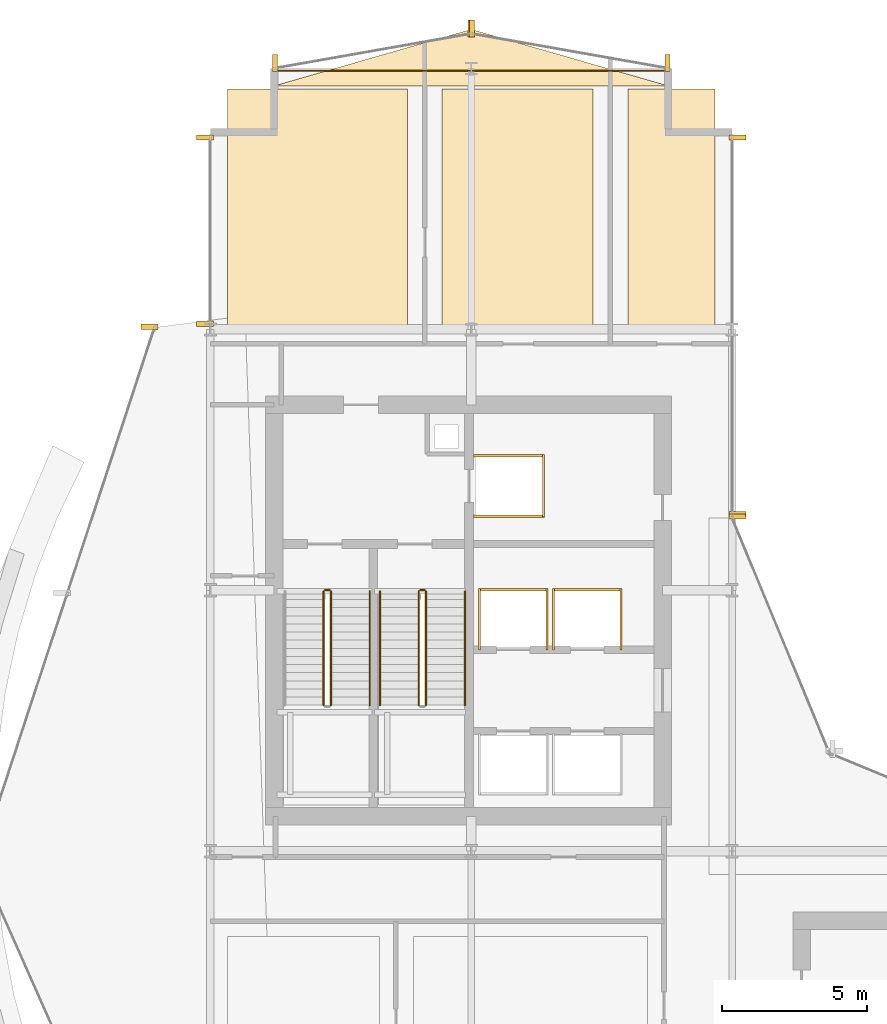
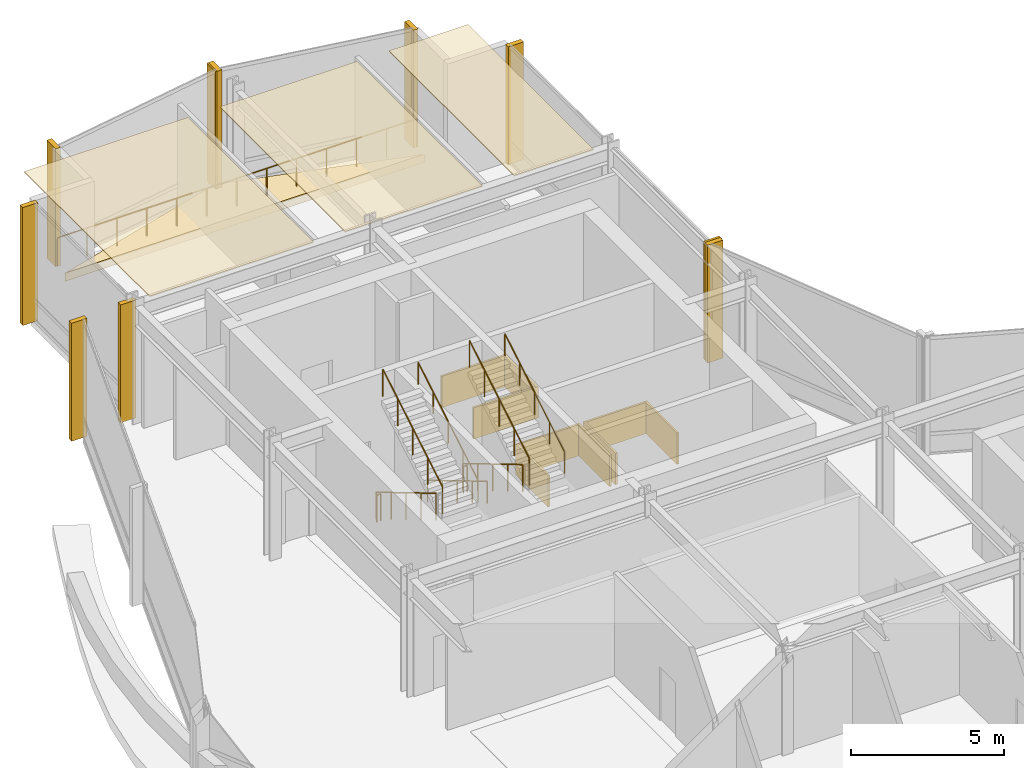
# One storey, part 32 of 33: 23 coverings, 10 railings.
"""IFC4 building model written with IfcOpenShell, lengths in metres."""

from ifc_helpers import new_model, si_unit, direction, frame, origin, origin_2d, place, context, subcontext, project, spatial, polyline, rectangle, circle, outline, extrude, material, layer, layer_set, type_object, element, save


model = new_model("IFC4")

# Units and contexts
model_context = context("Model", 3, precision=1e-05, world=origin(), true_north=direction((0.0, 1.0)))
body_context = subcontext(model_context, "Body", "Model", "MODEL_VIEW")
ifc_project = project(units=[si_unit("LENGTHUNIT", "METRE"), si_unit("AREAUNIT", "SQUARE_METRE"), si_unit("VOLUMEUNIT", "CUBIC_METRE"), si_unit("PLANEANGLEUNIT", "RADIAN"), si_unit("MASSUNIT", "GRAM", prefix="KILO")], contexts=[model_context])

# Site, building, storey
site_placement = place(None, origin())
site = spatial("IfcSite", under=ifc_project, at=site_placement, CompositionType="ELEMENT")
building_placement = place(site_placement, origin())
building = spatial("IfcBuilding", under=site, at=building_placement, Name="Solvaryn Broadcast Tower", CompositionType="ELEMENT")
storey_placement = place(building_placement, frame((0.0, 0.0, 105.0)))
storey = spatial("IfcBuildingStorey", under=building, at=storey_placement, Name="L25", CompositionType="ELEMENT", Elevation=105.0)

# Coverings
ifc_material_1 = material(Name="Micro-Perforated Acoustic Gypsum Ceiling", Category="concrete")
ifc_layer_1 = layer(ifc_material_1, 0.0400390625)
ifc_layer_set_1 = layer_set([ifc_layer_1], Name="CV-CEIL-ACOUSTIC")
covering_type_1 = type_object("IfcCoveringType", Name="CV-CEIL-ACOUSTIC", PredefinedType="CEILING", material=ifc_layer_set_1)
covering_1_placement = place(storey_placement, frame((0.0, 0.0, 4.679931640625)))
element("IfcCovering", 1, at=covering_1_placement, inside=storey, type_object=covering_type_1, Name="L25 Room Acoustic Ceiling 7", PredefinedType="CEILING", context=body_context, shape_type="SweptSolid", body=[
    extrude(outline(polyline([(9.60009765625, 45.070068359375), (15.800048828125, 45.070068359375), (15.800048828125, 53.300048828125), (9.60009765625, 53.300048828125), (9.60009765625, 45.070068359375)])), origin(), (0.0, 0.0, 1.0), 0.0400390625),
])
covering_2_placement = place(storey_placement, frame((0.0, 0.0, 4.679931640625)))
element("IfcCovering", 2, at=covering_2_placement, inside=storey, type_object=covering_type_1, Name="L25 Room Acoustic Ceiling 8", PredefinedType="CEILING", context=body_context, shape_type="SweptSolid", body=[
    extrude(outline(polyline([(17.0, 45.070068359375), (22.199951171875, 45.070068359375), (22.199951171875, 53.300048828125), (17.0, 53.300048828125), (17.0, 45.070068359375)])), origin(), (0.0, 0.0, 1.0), 0.0400390625),
])
covering_3_placement = place(storey_placement, frame((0.0, 0.0, 4.679931640625)))
element("IfcCovering", 3, at=covering_3_placement, inside=storey, type_object=covering_type_1, Name="L25 Room Acoustic Ceiling 9", PredefinedType="CEILING", context=body_context, shape_type="SweptSolid", body=[
    extrude(outline(polyline([(23.39990234375, 45.070068359375), (26.39990234375, 45.070068359375), (26.39990234375, 53.300048828125), (23.39990234375, 53.300048828125), (23.39990234375, 45.070068359375)])), origin(), (0.0, 0.0, 1.0), 0.0400390625),
])
ifc_material_2 = material(Name="Fire-Rated Gypsum Shaftwall Liner", Category="concrete")
ifc_layer_2 = layer(ifc_material_2, 0.080078125)
ifc_layer_set_2 = layer_set([ifc_layer_2], Name="CV-SHAFT-LINER")
covering_type_2 = type_object("IfcCoveringType", Name="CV-SHAFT-LINER", PredefinedType="CLADDING", material=ifc_layer_set_2)
for number, where, z_axis, x_axis, name in (
    (4, (19.300048828125, 40.639892578125, 0.0), (0.0, 0.0, 1.0), (1.0, 0.0, 0.0), "L25 FL1 Hoistway Shaft Liner North"),
    (5, (19.300048828125, 38.56005859375, 0.0), (0.0, 0.0, 1.0), (1.0, 0.0, 0.0), "L25 FL1 Hoistway Shaft Liner South"),
):
    element("IfcCovering", number, at=place(storey_placement, frame(where, z_axis=z_axis, x_axis=x_axis)), inside=storey, type_object=covering_type_2, Name=name, PredefinedType="CLADDING", context=body_context, shape_type="SweptSolid", body=[
        extrude(rectangle(XDim=2.4599609375, YDim=0.080078125, at=origin_2d()), origin(), (0.0, 0.0, 1.0), 1.25),
    ])
covering_4_placement = place(storey_placement, frame((20.489990234375, 39.60009765625, 0.0), z_axis=(0.0, 0.0, 1.0), x_axis=(1.0, 0.0, 0.0)))
element("IfcCovering", 6, at=covering_4_placement, inside=storey, type_object=covering_type_2, Name="L25 FL1 Hoistway Shaft Liner East", PredefinedType="CLADDING", context=body_context, shape_type="SweptSolid", body=[
    extrude(rectangle(XDim=0.080078125, YDim=2.159912109375, at=origin_2d()), origin(), (0.0, 0.0, 1.0), 1.25),
])
covering_5_placement = place(storey_placement, frame((19.449951171875, 36.014892578125, 0.0), z_axis=(0.0, 0.0, 1.0), x_axis=(1.0, 0.0, 0.0)))
element("IfcCovering", 7, at=covering_5_placement, inside=storey, type_object=covering_type_2, Name="L25 PH3 Hoistway Shaft Liner North", PredefinedType="CLADDING", context=body_context, shape_type="SweptSolid", body=[
    extrude(rectangle(XDim=2.409912109375, YDim=0.080078125, at=origin_2d()), origin(), (0.0, 0.0, 1.0), 1.25),
])
for number, where, z_axis, x_axis, name in (
    (8, (20.614990234375, 35.0, 0.0), (0.0, 0.0, 1.0), (1.0, 0.0, 0.0), "L25 PH3 Hoistway Shaft Liner East"),
    (9, (18.284912109375, 35.0, 0.0), (0.0, 0.0, 1.0), (1.0, 0.0, 0.0), "L25 PH3 Hoistway Shaft Liner West"),
):
    element("IfcCovering", number, at=place(storey_placement, frame(where, z_axis=z_axis, x_axis=x_axis)), inside=storey, type_object=covering_type_2, Name=name, PredefinedType="CLADDING", context=body_context, shape_type="SweptSolid", body=[
        extrude(rectangle(XDim=0.080078125, YDim=2.110107421875, at=origin_2d()), origin(), (0.0, 0.0, 1.0), 1.25),
    ])
covering_6_placement = place(storey_placement, frame((22.0, 36.014892578125, 0.0), z_axis=(0.0, 0.0, 1.0), x_axis=(1.0, 0.0, 0.0)))
element("IfcCovering", 10, at=covering_6_placement, inside=storey, type_object=covering_type_2, Name="L25 PH4 Hoistway Shaft Liner North", PredefinedType="CLADDING", context=body_context, shape_type="SweptSolid", body=[
    extrude(rectangle(XDim=2.409912109375, YDim=0.080078125, at=origin_2d()), origin(), (0.0, 0.0, 1.0), 1.25),
])
for number, where, z_axis, x_axis, name in (
    (11, (23.1650390625, 35.0, 0.0), (0.0, 0.0, 1.0), (1.0, 0.0, 0.0), "L25 PH4 Hoistway Shaft Liner East"),
    (12, (20.8349609375, 35.0, 0.0), (0.0, 0.0, 1.0), (1.0, 0.0, 0.0), "L25 PH4 Hoistway Shaft Liner West"),
):
    element("IfcCovering", number, at=place(storey_placement, frame(where, z_axis=z_axis, x_axis=x_axis)), inside=storey, type_object=covering_type_2, Name=name, PredefinedType="CLADDING", context=body_context, shape_type="SweptSolid", body=[
        extrude(rectangle(XDim=0.080078125, YDim=2.110107421875, at=origin_2d()), origin(), (0.0, 0.0, 1.0), 1.25),
    ])
ifc_material_3 = material(Name="Extruded Architectural Terracotta Fin", Category="masonry")
ifc_layer_3 = layer(ifc_material_3, 0.179931640625)
ifc_layer_set_3 = layer_set([ifc_layer_3], Name="CV-TC-FIN")
covering_type_3 = type_object("IfcCoveringType", Name="CV-TC-FIN", PredefinedType="USERDEFINED", material=ifc_layer_set_3)
for number, where, z_axis, x_axis, name in (
    (13, (6.898681640625, 45.0947265625, 0.0), (0.0, 0.0, 1.0), (1.0, 0.0, 0.0), "L25 Terracotta Vertical Fin FIN-L25-DR1-M00"),
    (14, (8.8125, 45.197021484375, 0.0), (0.0, 0.0, 1.0), (1.0, 0.0, 0.0), "L25 Terracotta Vertical Fin FIN-L25-W2-M00"),
    (15, (8.8125, 51.6201171875, 0.0), (0.0, 0.0, 1.0), (1.0, 0.0, 0.0), "L25 Terracotta Vertical Fin FIN-L25-W2-M01"),
    (16, (27.1875, 51.6201171875, 0.0), (0.0, 0.0, 1.0), (1.0, 0.0, 0.0), "L25 Terracotta Vertical Fin FIN-L25-IV-M00"),
    (17, (27.1875, 38.6298828125, 0.0), (0.0, 0.0, 1.0), (1.0, 0.0, 0.0), "L25 Terracotta Vertical Fin FIN-L25-IV-M01"),
    (18, (27.177978515625, 38.541259765625, 0.0), (0.0, 0.0, 1.0), (1.0, 0.0, 0.0), "L25 Terracotta Vertical Fin FIN-L25-CN2-M01"),
):
    element("IfcCovering", number, at=place(storey_placement, frame(where, z_axis=z_axis, x_axis=x_axis)), inside=storey, type_object=covering_type_3, Name=name, ObjectType="FIN", PredefinedType="USERDEFINED", context=body_context, shape_type="SweptSolid", body=[
        extrude(rectangle(XDim=0.580078125, YDim=0.179931640625, at=origin_2d()), origin(), (0.0, 0.0, 1.0), 4.719970703125),
    ])
for number, where, z_axis, x_axis, name in (
    (19, (24.7705078125, 54.192626953125, 0.0), (0.0, 0.0, 1.0), (1.0, 0.0, 0.0), "L25 Terracotta Vertical Fin FIN-L25-NT1-M00"),
    (20, (18.029541015625, 55.38232421875, 0.0), (0.0, 0.0, 1.0), (1.0, 0.0, 0.0), "L25 Terracotta Vertical Fin FIN-L25-NT1-M01"),
    (21, (17.970458984375, 55.38232421875, 0.0), (0.0, 0.0, 1.0), (1.0, 0.0, 0.0), "L25 Terracotta Vertical Fin FIN-L25-NT2-M00"),
    (22, (11.2294921875, 54.192626953125, 0.0), (0.0, 0.0, 1.0), (1.0, 0.0, 0.0), "L25 Terracotta Vertical Fin FIN-L25-NT2-M01"),
):
    element("IfcCovering", number, at=place(storey_placement, frame(where, z_axis=z_axis, x_axis=x_axis)), inside=storey, type_object=covering_type_3, Name=name, ObjectType="FIN", PredefinedType="USERDEFINED", context=body_context, shape_type="SweptSolid", body=[
        extrude(rectangle(XDim=0.179931640625, YDim=0.580078125, at=origin_2d()), origin(), (0.0, 0.0, 1.0), 4.719970703125),
    ])
ifc_material_4 = material(Name="Sculpted Architectural Terracotta Wave Fascia", Category="masonry")
ifc_layer_4 = layer(ifc_material_4, 0.340087890625)
ifc_layer_set_4 = layer_set([ifc_layer_4], Name="CV-WAVE-TRAY")
covering_type_4 = type_object("IfcCoveringType", Name="CV-WAVE-TRAY", PredefinedType="CLADDING", material=ifc_layer_set_4)
covering_7_placement = place(storey_placement, frame((0.0, 0.0, -0.300048828125)))
element("IfcCovering", 23, at=covering_7_placement, inside=storey, type_object=covering_type_4, Name="L25 North Curved Wing Deck", PredefinedType="CLADDING", context=body_context, shape_type="SweptSolid", body=[
    extrude(outline(polyline([(11.199951171875, 53.39990234375), (24.800048828125, 53.39990234375), (18.0, 55.35009765625), (11.199951171875, 53.39990234375)])), origin(), (0.0, 0.0, 1.0), 0.330078125),
])

# Railings
ifc_material_5 = material(Name="Painted Steel Stair Well Guard", Category="steel")
railing_type_1 = type_object("IfcRailingType", Name="RL-STAIR-GUARD", PredefinedType="BALUSTRADE", material=ifc_material_5)
railing_1_placement = place(storey_placement, frame((12.909912109375, 35.9599609375, 0.166748046875)))
element("IfcRailing", 24, at=railing_1_placement, inside=storey, type_object=railing_type_1, Name="L25 ST1 stair guard 1", PredefinedType="BALUSTRADE", context=body_context, shape_type="SweptSolid", body=[
    extrude(circle(Radius=0.02392578125, at=origin_2d()), frame((0.0, 0.0, 1.076171875), z_axis=(0.0, -0.859296244711, 0.511478214419), x_axis=(1.0, 0.0, 0.0)), (0.0, 0.0, 1.0), 4.561767578125),
    extrude(circle(Radius=0.02099609375, at=origin_2d()), origin(), (0.0, 0.0, 1.0), 1.052001953125),
    extrude(circle(Radius=0.02099609375, at=origin_2d()), frame((0.0, -0.97998046875, 0.583251953125)), (0.0, 0.0, 1.0), 1.052001953125),
    extrude(circle(Radius=0.02099609375, at=origin_2d()), frame((0.0, -1.9599609375, 1.16650390625)), (0.0, 0.0, 1.0), 1.052001953125),
    extrude(circle(Radius=0.02099609375, at=origin_2d()), frame((0.0, -2.93994140625, 1.75)), (0.0, 0.0, 1.0), 1.052001953125),
    extrude(circle(Radius=0.02099609375, at=origin_2d()), frame((0.0, -3.919921875, 2.333251953125)), (0.0, 0.0, 1.0), 1.052001953125),
])
railing_2_placement = place(storey_placement, frame((13.159912109375, 32.0400390625, 2.666748046875)))
element("IfcRailing", 25, at=railing_2_placement, inside=storey, type_object=railing_type_1, Name="L25 ST1 stair guard 3", PredefinedType="BALUSTRADE", context=body_context, shape_type="SweptSolid", body=[
    extrude(circle(Radius=0.02392578125, at=origin_2d()), frame((0.0, 0.0, 1.076171875), z_axis=(0.0, 0.859296244711, 0.511478214419), x_axis=(-1.0, 0.0, 0.0)), (0.0, 0.0, 1.0), 4.561767578125),
    extrude(circle(Radius=0.02099609375, at=origin_2d()), origin(), (0.0, 0.0, 1.0), 1.052001953125),
    extrude(circle(Radius=0.02099609375, at=origin_2d()), frame((0.0, 0.97998046875, 0.583251953125)), (0.0, 0.0, 1.0), 1.052001953125),
    extrude(circle(Radius=0.02099609375, at=origin_2d()), frame((0.0, 1.9599609375, 1.16650390625)), (0.0, 0.0, 1.0), 1.052001953125),
    extrude(circle(Radius=0.02099609375, at=origin_2d()), frame((0.0, 2.93994140625, 1.75)), (0.0, 0.0, 1.0), 1.052001953125),
    extrude(circle(Radius=0.02099609375, at=origin_2d()), frame((0.0, 3.919921875, 2.333251953125)), (0.0, 0.0, 1.0), 1.052001953125),
])
railing_3_placement = place(storey_placement, frame((12.9599609375, 36.010009765625, 0.0)))
element("IfcRailing", 26, at=railing_3_placement, inside=storey, type_object=railing_type_1, Name="L25 ST1 stair guard 4", PredefinedType="BALUSTRADE", context=body_context, shape_type="SweptSolid", body=[
    extrude(circle(Radius=0.02392578125, at=origin_2d()), frame((0.0, 0.0, 1.076171875), z_axis=(1.0, 0.0, 0.0), x_axis=(0.0, 1.0, 0.0)), (0.0, 0.0, 1.0), 0.150146484375),
    extrude(circle(Radius=0.02099609375, at=origin_2d()), origin(), (0.0, 0.0, 1.0), 1.052001953125),
    extrude(circle(Radius=0.02099609375, at=origin_2d()), frame((0.150146484375, 0.0, 0.0)), (0.0, 0.0, 1.0), 1.052001953125),
])
railing_4_placement = place(storey_placement, frame((16.18994140625, 35.9599609375, 0.166748046875)))
element("IfcRailing", 27, at=railing_4_placement, inside=storey, type_object=railing_type_1, Name="L25 ST2 stair guard 1", PredefinedType="BALUSTRADE", context=body_context, shape_type="SweptSolid", body=[
    extrude(circle(Radius=0.02392578125, at=origin_2d()), frame((0.0, 0.0, 1.076171875), z_axis=(0.0, -0.859296244711, 0.511478214419), x_axis=(1.0, 0.0, 0.0)), (0.0, 0.0, 1.0), 4.561767578125),
    extrude(circle(Radius=0.02099609375, at=origin_2d()), origin(), (0.0, 0.0, 1.0), 1.052001953125),
    extrude(circle(Radius=0.02099609375, at=origin_2d()), frame((0.0, -0.97998046875, 0.583251953125)), (0.0, 0.0, 1.0), 1.052001953125),
    extrude(circle(Radius=0.02099609375, at=origin_2d()), frame((0.0, -1.9599609375, 1.16650390625)), (0.0, 0.0, 1.0), 1.052001953125),
    extrude(circle(Radius=0.02099609375, at=origin_2d()), frame((0.0, -2.93994140625, 1.75)), (0.0, 0.0, 1.0), 1.052001953125),
    extrude(circle(Radius=0.02099609375, at=origin_2d()), frame((0.0, -3.919921875, 2.333251953125)), (0.0, 0.0, 1.0), 1.052001953125),
])
railing_5_placement = place(storey_placement, frame((16.43994140625, 32.0400390625, 2.666748046875)))
element("IfcRailing", 28, at=railing_5_placement, inside=storey, type_object=railing_type_1, Name="L25 ST2 stair guard 3", PredefinedType="BALUSTRADE", context=body_context, shape_type="SweptSolid", body=[
    extrude(circle(Radius=0.02392578125, at=origin_2d()), frame((0.0, 0.0, 1.076171875), z_axis=(0.0, 0.859296244711, 0.511478214419), x_axis=(-1.0, 0.0, 0.0)), (0.0, 0.0, 1.0), 4.561767578125),
    extrude(circle(Radius=0.02099609375, at=origin_2d()), origin(), (0.0, 0.0, 1.0), 1.052001953125),
    extrude(circle(Radius=0.02099609375, at=origin_2d()), frame((0.0, 0.97998046875, 0.583251953125)), (0.0, 0.0, 1.0), 1.052001953125),
    extrude(circle(Radius=0.02099609375, at=origin_2d()), frame((0.0, 1.9599609375, 1.16650390625)), (0.0, 0.0, 1.0), 1.052001953125),
    extrude(circle(Radius=0.02099609375, at=origin_2d()), frame((0.0, 2.93994140625, 1.75)), (0.0, 0.0, 1.0), 1.052001953125),
    extrude(circle(Radius=0.02099609375, at=origin_2d()), frame((0.0, 3.919921875, 2.333251953125)), (0.0, 0.0, 1.0), 1.052001953125),
])
railing_6_placement = place(storey_placement, frame((16.239990234375, 36.010009765625, 0.0)))
element("IfcRailing", 29, at=railing_6_placement, inside=storey, type_object=railing_type_1, Name="L25 ST2 stair guard 4", PredefinedType="BALUSTRADE", context=body_context, shape_type="SweptSolid", body=[
    extrude(circle(Radius=0.02392578125, at=origin_2d()), frame((0.0, 0.0, 1.076171875), z_axis=(1.0, 0.0, 0.0), x_axis=(0.0, 1.0, 0.0)), (0.0, 0.0, 1.0), 0.14990234375),
    extrude(circle(Radius=0.02099609375, at=origin_2d()), origin(), (0.0, 0.0, 1.0), 1.052001953125),
    extrude(circle(Radius=0.02099609375, at=origin_2d()), frame((0.14990234375, 0.0, 0.0)), (0.0, 0.0, 1.0), 1.052001953125),
])
ifc_material_6 = material(Name="Brushed Stainless Steel Tubular Handrail", Category="steel")
railing_type_2 = type_object("IfcRailingType", Name="RL-STAIR-HANDRAIL", PredefinedType="HANDRAIL", material=ifc_material_6)
railing_7_placement = place(storey_placement, frame((14.5, 32.0400390625, 2.666748046875)))
element("IfcRailing", 30, at=railing_7_placement, inside=storey, type_object=railing_type_2, Name="L25 ST1 stair handrail 2", PredefinedType="HANDRAIL", context=body_context, shape_type="SweptSolid", body=[
    extrude(circle(Radius=0.02392578125, at=origin_2d()), frame((0.0, 0.0, 0.8759765625), z_axis=(0.0, 0.859296244711, 0.511478214419), x_axis=(-1.0, 0.0, 0.0)), (0.0, 0.0, 1.0), 4.561767578125),
    extrude(circle(Radius=0.02099609375, at=origin_2d()), origin(), (0.0, 0.0, 1.0), 0.851806640625),
    extrude(circle(Radius=0.02099609375, at=origin_2d()), frame((0.0, 0.97998046875, 0.583251953125)), (0.0, 0.0, 1.0), 0.851806640625),
    extrude(circle(Radius=0.02099609375, at=origin_2d()), frame((0.0, 1.9599609375, 1.16650390625)), (0.0, 0.0, 1.0), 0.851806640625),
    extrude(circle(Radius=0.02099609375, at=origin_2d()), frame((0.0, 2.93994140625, 1.75)), (0.0, 0.0, 1.0), 0.851806640625),
    extrude(circle(Radius=0.02099609375, at=origin_2d()), frame((0.0, 3.919921875, 2.333251953125)), (0.0, 0.0, 1.0), 0.851806640625),
])
railing_8_placement = place(storey_placement, frame((14.85009765625, 35.9599609375, 0.166748046875)))
element("IfcRailing", 31, at=railing_8_placement, inside=storey, type_object=railing_type_2, Name="L25 ST2 stair handrail 1", PredefinedType="HANDRAIL", context=body_context, shape_type="SweptSolid", body=[
    extrude(circle(Radius=0.02392578125, at=origin_2d()), frame((0.0, 0.0, 0.8759765625), z_axis=(0.0, -0.859296244711, 0.511478214419), x_axis=(1.0, 0.0, 0.0)), (0.0, 0.0, 1.0), 4.561767578125),
    extrude(circle(Radius=0.02099609375, at=origin_2d()), origin(), (0.0, 0.0, 1.0), 0.851806640625),
    extrude(circle(Radius=0.02099609375, at=origin_2d()), frame((0.0, -0.97998046875, 0.583251953125)), (0.0, 0.0, 1.0), 0.851806640625),
    extrude(circle(Radius=0.02099609375, at=origin_2d()), frame((0.0, -1.9599609375, 1.16650390625)), (0.0, 0.0, 1.0), 0.851806640625),
    extrude(circle(Radius=0.02099609375, at=origin_2d()), frame((0.0, -2.93994140625, 1.75)), (0.0, 0.0, 1.0), 0.851806640625),
    extrude(circle(Radius=0.02099609375, at=origin_2d()), frame((0.0, -3.919921875, 2.333251953125)), (0.0, 0.0, 1.0), 0.851806640625),
])
railing_9_placement = place(storey_placement, frame((17.780029296875, 32.0400390625, 2.666748046875)))
element("IfcRailing", 32, at=railing_9_placement, inside=storey, type_object=railing_type_2, Name="L25 ST2 stair handrail 2", PredefinedType="HANDRAIL", context=body_context, shape_type="SweptSolid", body=[
    extrude(circle(Radius=0.02392578125, at=origin_2d()), frame((0.0, 0.0, 0.8759765625), z_axis=(0.0, 0.859296244711, 0.511478214419), x_axis=(-1.0, 0.0, 0.0)), (0.0, 0.0, 1.0), 4.561767578125),
    extrude(circle(Radius=0.02099609375, at=origin_2d()), origin(), (0.0, 0.0, 1.0), 0.851806640625),
    extrude(circle(Radius=0.02099609375, at=origin_2d()), frame((0.0, 0.97998046875, 0.583251953125)), (0.0, 0.0, 1.0), 0.851806640625),
    extrude(circle(Radius=0.02099609375, at=origin_2d()), frame((0.0, 1.9599609375, 1.16650390625)), (0.0, 0.0, 1.0), 0.851806640625),
    extrude(circle(Radius=0.02099609375, at=origin_2d()), frame((0.0, 2.93994140625, 1.75)), (0.0, 0.0, 1.0), 0.851806640625),
    extrude(circle(Radius=0.02099609375, at=origin_2d()), frame((0.0, 3.919921875, 2.333251953125)), (0.0, 0.0, 1.0), 0.851806640625),
])
ifc_material_7 = material(Name="Stainless Steel and Laminated Glass Guard", Category="steel")
railing_type_3 = type_object("IfcRailingType", Name="RL-TER-1150", PredefinedType="BALUSTRADE", material=ifc_material_7)
railing_10_placement = place(storey_placement, frame((11.199951171875, 53.919921875, 0.0)))
element("IfcRailing", 33, at=railing_10_placement, inside=storey, type_object=railing_type_3, Name="L25 North Wing Spandrel Edge Guard", PredefinedType="BALUSTRADE", context=body_context, shape_type="SweptSolid", body=[
    extrude(circle(Radius=0.02392578125, at=origin_2d()), frame((0.0, 0.0, 1.1259765625), z_axis=(1.0, 0.0, 0.0), x_axis=(0.0, 1.0, 0.0)), (0.0, 0.0, 1.0), 13.60009765625),
    extrude(circle(Radius=0.02099609375, at=origin_2d()), origin(), (0.0, 0.0, 1.0), 1.101806640625),
    extrude(circle(Radius=0.02099609375, at=origin_2d()), frame((1.13330078125, 0.0, 0.0)), (0.0, 0.0, 1.0), 1.101806640625),
    extrude(circle(Radius=0.02099609375, at=origin_2d()), frame((2.2666015625, 0.0, 0.0)), (0.0, 0.0, 1.0), 1.101806640625),
    extrude(circle(Radius=0.02099609375, at=origin_2d()), frame((3.39990234375, 0.0, 0.0)), (0.0, 0.0, 1.0), 1.101806640625),
    extrude(circle(Radius=0.02099609375, at=origin_2d()), frame((4.533447265625, 0.0, 0.0)), (0.0, 0.0, 1.0), 1.101806640625),
    extrude(circle(Radius=0.02099609375, at=origin_2d()), frame((5.666748046875, 0.0, 0.0)), (0.0, 0.0, 1.0), 1.101806640625),
    extrude(circle(Radius=0.02099609375, at=origin_2d()), frame((6.800048828125, 0.0, 0.0)), (0.0, 0.0, 1.0), 1.101806640625),
    extrude(circle(Radius=0.02099609375, at=origin_2d()), frame((7.933349609375, 0.0, 0.0)), (0.0, 0.0, 1.0), 1.101806640625),
    extrude(circle(Radius=0.02099609375, at=origin_2d()), frame((9.066650390625, 0.0, 0.0)), (0.0, 0.0, 1.0), 1.101806640625),
    extrude(circle(Radius=0.02099609375, at=origin_2d()), frame((10.2001953125, 0.0, 0.0)), (0.0, 0.0, 1.0), 1.101806640625),
    extrude(circle(Radius=0.02099609375, at=origin_2d()), frame((11.33349609375, 0.0, 0.0)), (0.0, 0.0, 1.0), 1.101806640625),
    extrude(circle(Radius=0.02099609375, at=origin_2d()), frame((12.466796875, 0.0, 0.0)), (0.0, 0.0, 1.0), 1.101806640625),
    extrude(circle(Radius=0.02099609375, at=origin_2d()), frame((13.60009765625, 0.0, 0.0)), (0.0, 0.0, 1.0), 1.101806640625),
])

save(model, "model.ifc")
